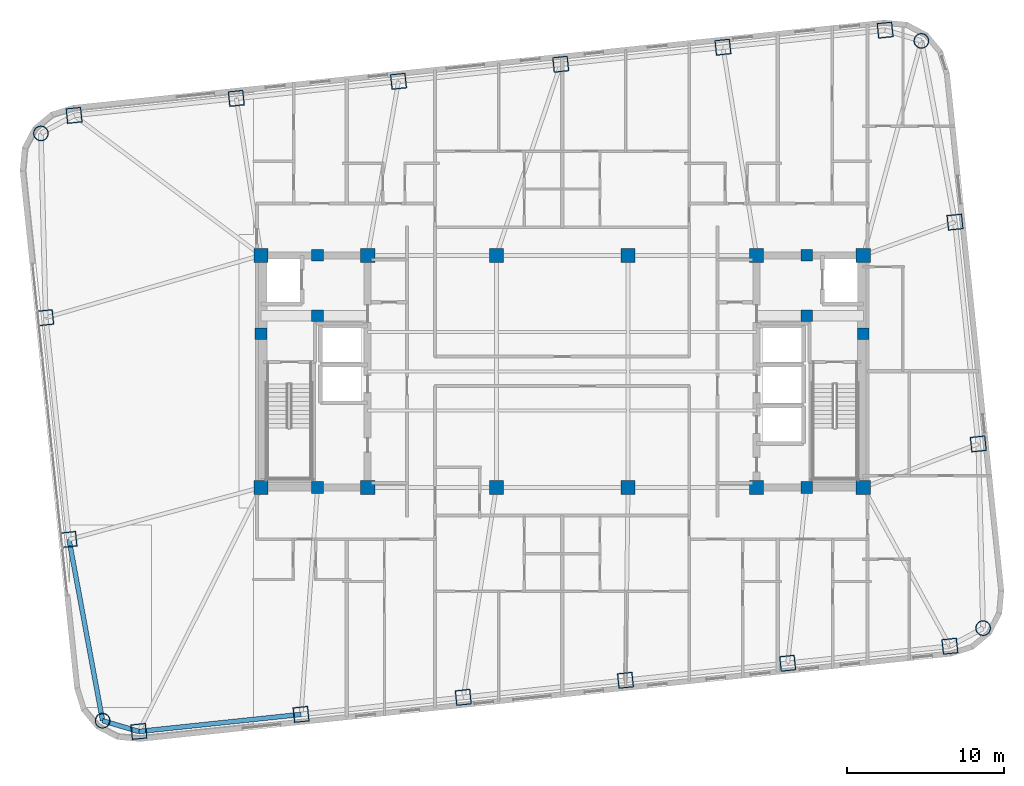
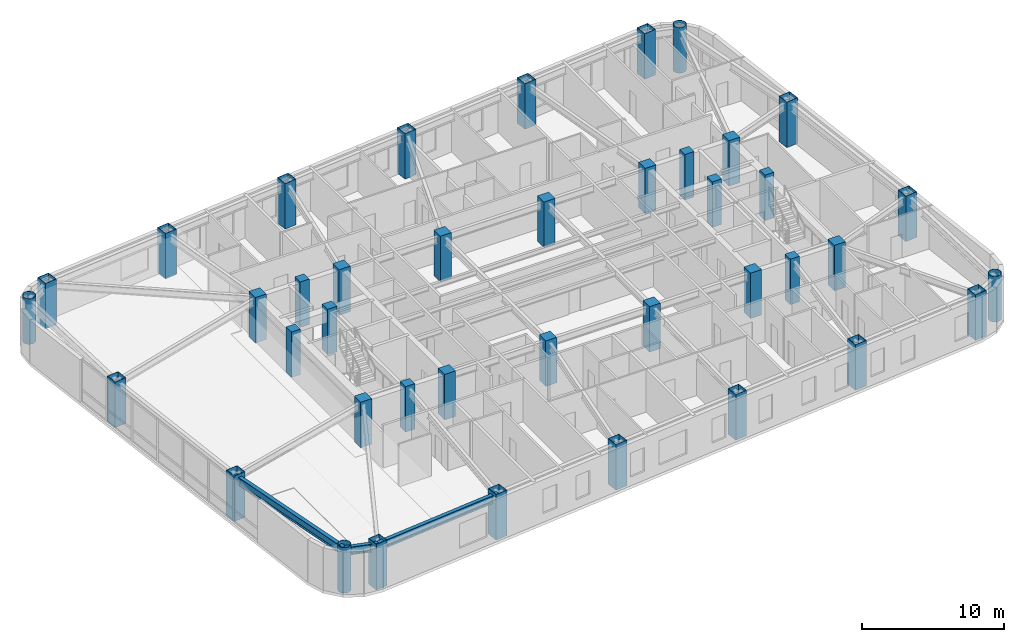
# One storey, part 1 of 15: 40 columns, 3 beams.
"""IFC4 building model written with IfcOpenShell, lengths in metres."""

from ifc_helpers import new_model, si_unit, direction, frame, origin, origin_2d, place, context, subcontext, project, spatial, rectangle, hollow_rectangle, hollow_circle, i_section, extrude, material, material_profile, profile_set, type_object, element, save


model = new_model("IFC4")

# Units and contexts
model_context = context("Model", 3, precision=1e-05, world=origin(), true_north=direction((0.0, 1.0)))
body_context = subcontext(model_context, "Body", "Model", "MODEL_VIEW")
ifc_project = project(units=[si_unit("LENGTHUNIT", "METRE"), si_unit("AREAUNIT", "SQUARE_METRE"), si_unit("VOLUMEUNIT", "CUBIC_METRE"), si_unit("PLANEANGLEUNIT", "RADIAN"), si_unit("MASSUNIT", "GRAM", prefix="KILO")], contexts=[model_context])

# Site, building, storey
site_placement = place(None, origin())
site = spatial("IfcSite", under=ifc_project, at=site_placement, CompositionType="ELEMENT")
building_placement = place(site_placement, origin())
building = spatial("IfcBuilding", under=site, at=building_placement, Name="Voryun Gate Residences", CompositionType="ELEMENT")
storey_placement = place(building_placement, frame((0.0, 0.0, 148.199951171875)))
storey = spatial("IfcBuildingStorey", under=building, at=storey_placement, Name="L36", CompositionType="ELEMENT", Elevation=148.199951171875)

# Columns
ifc_material_1 = material(Name="Concrete C50/60", Category="concrete")
ifc_material_profile_1 = material_profile(ifc_material_1, rectangle(XDim=0.75, YDim=0.75, at=origin_2d()), Name="RC-750x750")
ifc_profile_set_1 = profile_set([ifc_material_profile_1], Name="Concrete C50/60")
column_type_1 = type_object("IfcColumnType", Name="COL_CORE_750", PredefinedType="COLUMN", material=ifc_profile_set_1)
for number, where, z_axis, x_axis, name in (
    (1, (-19.199951171875, 2.39990234375, 0.0), (0.0, 0.0, 1.0), (1.0, 0.0, 0.0), "L36 Core boundary column WC-MW"),
    (2, (-15.60009765625, -7.39990234375, 0.0), (0.0, 0.0, 1.0), (1.0, 0.0, 0.0), "L36 Core boundary column WC-SM"),
    (3, (-15.60009765625, 7.39990234375, 0.0), (0.0, 0.0, 1.0), (1.0, 0.0, 0.0), "L36 Core boundary column WC-NM"),
    (4, (-15.60009765625, 3.550048828125, 0.0), (0.0, 0.0, 1.0), (1.0, 0.0, 0.0), "L36 Core boundary column WC-MM"),
    (5, (15.60009765625, 3.550048828125, 0.0), (0.0, 0.0, 1.0), (1.0, 0.0, 0.0), "L36 Core boundary column EC-MM"),
    (6, (15.60009765625, -7.39990234375, 0.0), (0.0, 0.0, 1.0), (1.0, 0.0, 0.0), "L36 Core boundary column EC-SM"),
    (7, (15.60009765625, 7.39990234375, 0.0), (0.0, 0.0, 1.0), (1.0, 0.0, 0.0), "L36 Core boundary column EC-NM"),
    (8, (19.199951171875, 2.39990234375, 0.0), (0.0, 0.0, 1.0), (1.0, 0.0, 0.0), "L36 Core boundary column EC-ME"),
):
    element("IfcColumn", number, at=place(storey_placement, frame(where, z_axis=z_axis, x_axis=x_axis)), inside=storey, type_object=column_type_1, Name=name, PredefinedType="COLUMN", context=body_context, shape_type="SweptSolid", body=[
        extrude(rectangle(XDim=0.75, YDim=0.75, at=origin_2d()), origin(), (0.0, 0.0, 1.0), 3.900146484375),
    ])
ifc_material_2 = material(Name="Concrete C50/60", Category="concrete")
ifc_material_profile_2 = material_profile(ifc_material_2, rectangle(XDim=0.89990234375, YDim=0.89990234375, at=origin_2d()), Name="RC-900x900")
ifc_profile_set_2 = profile_set([ifc_material_profile_2], Name="Concrete C50/60")
column_type_2 = type_object("IfcColumnType", Name="COL_CORE_900", PredefinedType="COLUMN", material=ifc_profile_set_2)
for number, where, z_axis, x_axis, name in (
    (9, (-19.199951171875, -7.39990234375, 0.0), (0.0, 0.0, 1.0), (1.0, 0.0, 0.0), "L36 Core boundary column WC-SW"),
    (10, (-19.199951171875, 7.39990234375, 0.0), (0.0, 0.0, 1.0), (1.0, 0.0, 0.0), "L36 Core boundary column WC-NW"),
    (11, (-12.39990234375, -7.39990234375, 0.0), (0.0, 0.0, 1.0), (1.0, 0.0, 0.0), "L36 Core boundary column WC-SE"),
    (12, (-12.39990234375, 7.39990234375, 0.0), (0.0, 0.0, 1.0), (1.0, 0.0, 0.0), "L36 Core boundary column WC-NE"),
    (13, (12.39990234375, -7.39990234375, 0.0), (0.0, 0.0, 1.0), (1.0, 0.0, 0.0), "L36 Core boundary column EC-SW"),
    (14, (12.39990234375, 7.39990234375, 0.0), (0.0, 0.0, 1.0), (1.0, 0.0, 0.0), "L36 Core boundary column EC-NW"),
    (15, (19.199951171875, -7.39990234375, 0.0), (0.0, 0.0, 1.0), (1.0, 0.0, 0.0), "L36 Core boundary column EC-SE"),
    (16, (19.199951171875, 7.39990234375, 0.0), (0.0, 0.0, 1.0), (1.0, 0.0, 0.0), "L36 Core boundary column EC-NE"),
    (17, (-4.199951171875, -7.39990234375, 0.0), (0.0, 0.0, 1.0), (1.0, 0.0, 0.0), "L36 Interior spine column SP-WS"),
    (18, (-4.199951171875, 7.39990234375, 0.0), (0.0, 0.0, 1.0), (1.0, 0.0, 0.0), "L36 Interior spine column SP-WN"),
    (19, (4.199951171875, -7.39990234375, 0.0), (0.0, 0.0, 1.0), (1.0, 0.0, 0.0), "L36 Interior spine column SP-ES"),
    (20, (4.199951171875, 7.39990234375, 0.0), (0.0, 0.0, 1.0), (1.0, 0.0, 0.0), "L36 Interior spine column SP-EN"),
):
    element("IfcColumn", number, at=place(storey_placement, frame(where, z_axis=z_axis, x_axis=x_axis)), inside=storey, type_object=column_type_2, Name=name, PredefinedType="COLUMN", context=body_context, shape_type="SweptSolid", body=[
        extrude(rectangle(XDim=0.89990234375, YDim=0.89990234375, at=origin_2d()), origin(), (0.0, 0.0, 1.0), 3.900146484375),
    ])
ifc_material_3 = material(Name="Steel SM420", Category="steel")
ifc_material_profile_3 = material_profile(ifc_material_3, hollow_circle(Radius=0.47509765625, WallThickness=0.031982421875, at=origin_2d()), Name="CHS-950x32")
ifc_profile_set_3 = profile_set([ifc_material_profile_3], Name="Steel SM420")
column_type_3 = type_object("IfcColumnType", Name="COL_CRN_950", PredefinedType="COLUMN", material=ifc_profile_set_3)
for number, where, z_axis, x_axis, name in (
    (21, (26.8408203125, -16.373779296875, 0.0), (0.0, 0.0, 1.0), (0.994521895368, 0.104528463268, 0.0), "L36 Exoskeleton column CSE"),
    (22, (22.90478515625, 21.07470703125, 0.0), (0.0, 0.0, 1.0), (0.994521895368, 0.104528463268, 0.0), "L36 Exoskeleton column CNE"),
    (23, (-33.24072265625, 15.173583984375, 0.0), (0.0, 0.0, 1.0), (0.994521895368, 0.104528463268, 0.0), "L36 Exoskeleton column CNW"),
    (24, (-29.3046875, -22.27490234375, 0.0), (0.0, 0.0, 1.0), (0.994521895368, 0.104528463268, 0.0), "L36 Exoskeleton column CSW"),
):
    element("IfcColumn", number, at=place(storey_placement, frame(where, z_axis=z_axis, x_axis=x_axis)), inside=storey, type_object=column_type_3, Name=name, PredefinedType="COLUMN", context=body_context, shape_type="SweptSolid", body=[
        extrude(hollow_circle(Radius=0.47509765625, WallThickness=0.031982421875, at=origin_2d()), origin(), (0.0, 0.0, 1.0), 3.900146484375),
    ])
ifc_material_4 = material(Name="Steel SM420", Category="steel")
ifc_material_profile_4 = material_profile(ifc_material_4, hollow_rectangle(XDim=0.949951171875, YDim=0.949951171875, WallThickness=0.031982421875, at=origin_2d()), Name="BOX-950x950x32")
ifc_profile_set_4 = profile_set([ifc_material_profile_4], Name="Steel SM420")
column_type_4 = type_object("IfcColumnType", Name="COL_EXO_B3", PredefinedType="COLUMN", material=ifc_profile_set_4)
for number, where, z_axis, x_axis, name in (
    (25, (-26.9931640625, -22.95947265625, 0.0), (0.0, 0.0, 1.0), (0.994521895368, 0.104528463268, 0.0), "L36 Exoskeleton column S1"),
    (26, (-16.650146484375, -21.87255859375, 0.0), (0.0, 0.0, 1.0), (0.994521895368, 0.104528463268, 0.0), "L36 Exoskeleton column S2"),
    (27, (-6.30712890625, -20.785400390625, 0.0), (0.0, 0.0, 1.0), (0.994521895368, 0.104528463268, 0.0), "L36 Exoskeleton column S3"),
    (28, (4.035888671875, -19.6982421875, 0.0), (0.0, 0.0, 1.0), (0.994521895368, 0.104528463268, 0.0), "L36 Exoskeleton column S4"),
    (29, (14.37890625, -18.611083984375, 0.0), (0.0, 0.0, 1.0), (0.994521895368, 0.104528463268, 0.0), "L36 Exoskeleton column S5"),
    (30, (24.721923828125, -17.524169921875, 0.0), (0.0, 0.0, 1.0), (0.994521895368, 0.104528463268, 0.0), "L36 Exoskeleton column S6"),
    (31, (26.533447265625, -4.6240234375, 0.0), (0.0, 0.0, 1.0), (0.994521895368, 0.104528463268, 0.0), "L36 Exoskeleton column E1"),
    (32, (25.047119140625, 9.51806640625, 0.0), (0.0, 0.0, 1.0), (0.994521895368, 0.104528463268, 0.0), "L36 Exoskeleton column E2"),
    (33, (20.593017578125, 21.759521484375, 0.0), (0.0, 0.0, 1.0), (0.994521895368, 0.104528463268, 0.0), "L36 Exoskeleton column N1"),
    (34, (10.25, 20.67236328125, 0.0), (0.0, 0.0, 1.0), (0.994521895368, 0.104528463268, 0.0), "L36 Exoskeleton column N2"),
    (35, (-0.093017578125, 19.58544921875, 0.0), (0.0, 0.0, 1.0), (0.994521895368, 0.104528463268, 0.0), "L36 Exoskeleton column N3"),
    (36, (-10.43603515625, 18.498291015625, 0.0), (0.0, 0.0, 1.0), (0.994521895368, 0.104528463268, 0.0), "L36 Exoskeleton column N4"),
    (37, (-20.779052734375, 17.4111328125, 0.0), (0.0, 0.0, 1.0), (0.994521895368, 0.104528463268, 0.0), "L36 Exoskeleton column N5"),
    (38, (-31.1220703125, 16.323974609375, 0.0), (0.0, 0.0, 1.0), (0.994521895368, 0.104528463268, 0.0), "L36 Exoskeleton column N6"),
    (39, (-32.93359375, 3.424072265625, 0.0), (0.0, 0.0, 1.0), (0.994521895368, 0.104528463268, 0.0), "L36 Exoskeleton column W1"),
    (40, (-31.447021484375, -10.718017578125, 0.0), (0.0, 0.0, 1.0), (0.994521895368, 0.104528463268, 0.0), "L36 Exoskeleton column W2"),
):
    element("IfcColumn", number, at=place(storey_placement, frame(where, z_axis=z_axis, x_axis=x_axis)), inside=storey, type_object=column_type_4, Name=name, PredefinedType="COLUMN", context=body_context, shape_type="SweptSolid", body=[
        extrude(hollow_rectangle(XDim=0.949951171875, YDim=0.949951171875, WallThickness=0.031982421875, at=origin_2d()), origin(), (0.0, 0.0, 1.0), 3.900146484375),
    ])

# Beams
ifc_material_5 = material(Name="Steel SM355", Category="steel")
ifc_material_profile_5 = material_profile(ifc_material_5, i_section(OverallWidth=0.300048828125, OverallDepth=0.679931640625, WebThickness=0.013916015625, FlangeThickness=0.02490234375, FilletRadius=0.01806640625, at=origin_2d()), Name="H-680x300x14x25")
ifc_profile_set_5 = profile_set([ifc_material_profile_5], Name="Steel SM355")
beam_type = type_object("IfcBeamType", Name="BM_EXO_SPANDREL_M", PredefinedType="SPANDREL", material=ifc_profile_set_5)
beam_1_placement = place(storey_placement, frame((-26.9931640625, -22.95947265625, 3.31005859375), z_axis=(0.99452370336, 0.10451125994, 0.0), x_axis=(-0.10451125994, 0.99452370336, 0.0)))
element("IfcBeam", 41, at=beam_1_placement, inside=storey, type_object=beam_type, Name="BM-L36-SPAND-01", PredefinedType="SPANDREL", context=body_context, shape_type="SweptSolid", body=[
    extrude(i_section(OverallWidth=0.300048828125, OverallDepth=0.679931640625, WebThickness=0.013916015625, FlangeThickness=0.02490234375, FilletRadius=0.01806640625, at=origin_2d()), origin(), (0.0, 0.0, 1.0), 10.39990234375),
])
beam_2_placement = place(storey_placement, frame((-31.447021484375, -10.718017578125, 3.31005859375), z_axis=(0.182267768769, -0.983248931079, 0.0), x_axis=(0.983248931079, 0.182267768769, 0.0)))
element("IfcBeam", 42, at=beam_2_placement, inside=storey, type_object=beam_type, Name="BM-L36-SPAND-19", PredefinedType="SPANDREL", context=body_context, shape_type="SweptSolid", body=[
    extrude(i_section(OverallWidth=0.300048828125, OverallDepth=0.679931640625, WebThickness=0.013916015625, FlangeThickness=0.02490234375, FilletRadius=0.01806640625, at=origin_2d()), origin(), (0.0, 0.0, 1.0), 11.753662109375),
])
beam_3_placement = place(storey_placement, frame((-29.3046875, -22.27490234375, 3.31005859375), z_axis=(0.958834884093, -0.283964196768, 0.0), x_axis=(0.283964196768, 0.958834884093, 0.0)))
element("IfcBeam", 43, at=beam_3_placement, inside=storey, type_object=beam_type, Name="BM-L36-SPAND-20", PredefinedType="SPANDREL", context=body_context, shape_type="SweptSolid", body=[
    extrude(i_section(OverallWidth=0.300048828125, OverallDepth=0.679931640625, WebThickness=0.013916015625, FlangeThickness=0.02490234375, FilletRadius=0.01806640625, at=origin_2d()), origin(), (0.0, 0.0, 1.0), 2.41064453125),
])

save(model, "model.ifc")
